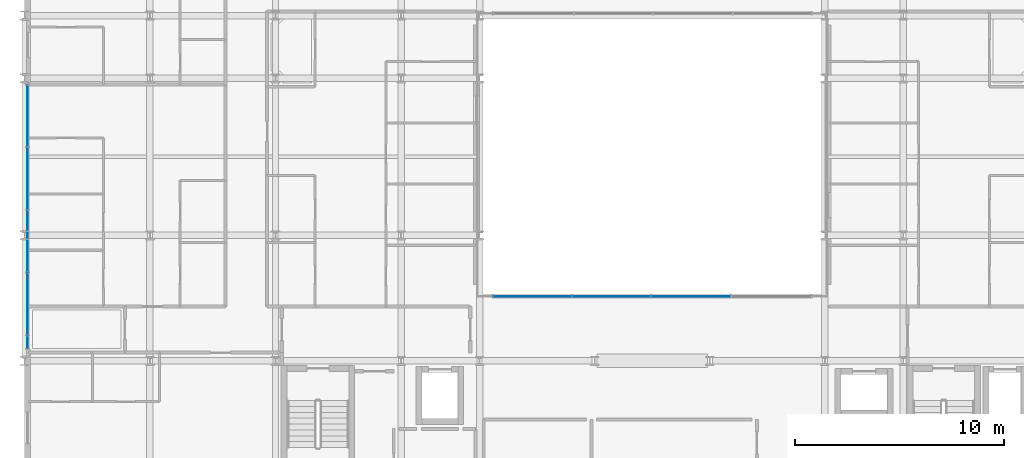
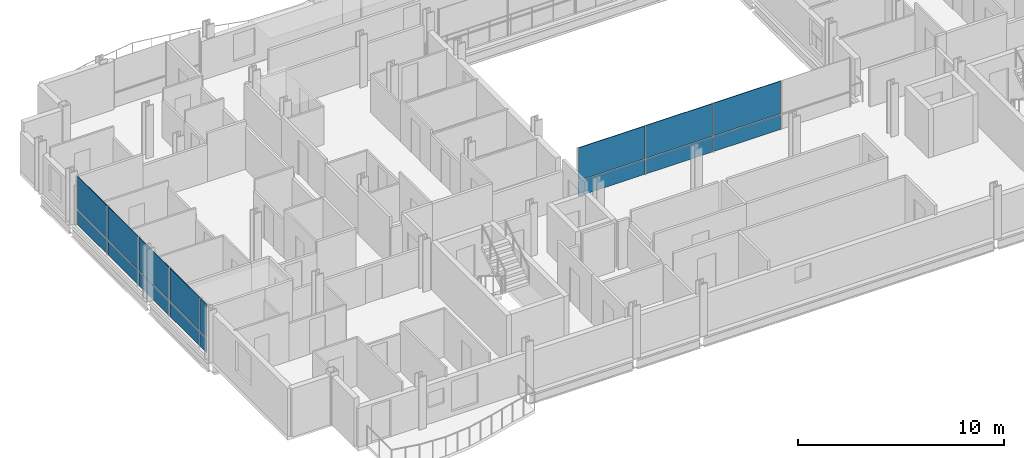
# One storey, part 26 of 41: 16 plates, 2 elements without a shape of their own.
"""IFC4 building model written with IfcOpenShell, lengths in metres."""

from ifc_helpers import new_model, si_unit, direction, frame, origin, origin_2d, place, context, subcontext, project, spatial, rectangle, extrude, material, layer, layer_set, type_object, element, aggregate, save


model = new_model("IFC4")

# Units and contexts
model_context = context("Model", 3, precision=1e-05, world=origin(), true_north=direction((0.0, 1.0)))
body_context = subcontext(model_context, "Body", "Model", "MODEL_VIEW")
ifc_project = project(units=[si_unit("LENGTHUNIT", "METRE"), si_unit("AREAUNIT", "SQUARE_METRE"), si_unit("VOLUMEUNIT", "CUBIC_METRE"), si_unit("PLANEANGLEUNIT", "RADIAN"), si_unit("MASSUNIT", "GRAM", prefix="KILO")], contexts=[model_context])

# Site, building, storey
site_placement = place(None, origin())
site = spatial("IfcSite", under=ifc_project, at=site_placement, CompositionType="ELEMENT")
building_placement = place(site_placement, origin())
building = spatial("IfcBuilding", under=site, at=building_placement, Name="Brevholm Reach", CompositionType="ELEMENT")
storey_placement = place(building_placement, frame((0.0, 0.0, 68.300048828125)))
storey = spatial("IfcBuildingStorey", under=building, at=storey_placement, Name="L19", CompositionType="ELEMENT", Elevation=68.300048828125)

# Curtain wall, plates
ifc_material_1 = material(Name="Dark Anodised Aluminium 6063-T6 and Solar-Control Glass", Category="aluminium")
ifc_layer_1 = layer(ifc_material_1, 0.14990234375)
ifc_layer_set_1 = layer_set([ifc_layer_1], Name="Dark Anodised Aluminium 6063-T6 and Solar-Control Glass")
curtain_wall_type_1 = type_object("IfcCurtainWallType", Name="CW-01", PredefinedType="NOTDEFINED", material=ifc_layer_set_1)
curtain_wall_1_placement = place(storey_placement, origin())
curtain_wall_1 = element("IfcCurtainWall", 1, at=curtain_wall_1_placement, inside=storey, type_object=curtain_wall_type_1, Name="L19 Curtain Wall CW-01", PredefinedType="NOTDEFINED")
ifc_material_2 = material(Name="Dark Solar-Control Double-Glazed IGU Glass", Category="glass")
ifc_layer_2 = layer(ifc_material_2, 0.028076171875)
ifc_layer_set_2 = layer_set([ifc_layer_2], Name="Dark Solar-Control Double-Glazed IGU Glass")
plate_type_1 = type_object("IfcPlateType", Name="CWP-GLZ-28", PredefinedType="CURTAIN_PANEL", material=ifc_layer_set_2)
plate_1_placement = place(storey_placement, frame((0.14990234375, 21.703857421875, 0.0), z_axis=(0.0, 0.0, 1.0), x_axis=(0.0, -1.0, 0.0)))
plate_1 = element("IfcPlate", 2, at=plate_1_placement, type_object=plate_type_1, Name="CP-01 Glazing Panel 1.1", PredefinedType="CURTAIN_PANEL", context=body_context, shape_type="SweptSolid", body=[
    extrude(rectangle(XDim=2.902587890625, YDim=0.028076171875, at=origin_2d()), origin(), (0.0, 0.0, 1.0), 0.867431640625),
])
plate_2_placement = place(storey_placement, frame((0.14990234375, 21.703857421875, 0.932373046875), z_axis=(0.0, 0.0, 1.0), x_axis=(0.0, -1.0, 0.0)))
plate_2 = element("IfcPlate", 3, at=plate_2_placement, type_object=plate_type_1, Name="CP-01 Glazing Panel 1.2", PredefinedType="CURTAIN_PANEL", context=body_context, shape_type="SweptSolid", body=[
    extrude(rectangle(XDim=2.902587890625, YDim=0.028076171875, at=origin_2d()), origin(), (0.0, 0.0, 1.0), 1.9375),
])
plate_3_placement = place(storey_placement, frame((0.14990234375, 18.719970703125, 0.0), z_axis=(0.0, 0.0, 1.0), x_axis=(0.0, -1.0, 0.0)))
plate_3 = element("IfcPlate", 4, at=plate_3_placement, type_object=plate_type_1, Name="CP-01 Glazing Panel 2.1", PredefinedType="CURTAIN_PANEL", context=body_context, shape_type="SweptSolid", body=[
    extrude(rectangle(XDim=2.93505859375, YDim=0.028076171875, at=origin_2d()), origin(), (0.0, 0.0, 1.0), 0.867431640625),
])
plate_4_placement = place(storey_placement, frame((0.14990234375, 18.719970703125, 0.932373046875), z_axis=(0.0, 0.0, 1.0), x_axis=(0.0, -1.0, 0.0)))
plate_4 = element("IfcPlate", 5, at=plate_4_placement, type_object=plate_type_1, Name="CP-01 Glazing Panel 2.2", PredefinedType="CURTAIN_PANEL", context=body_context, shape_type="SweptSolid", body=[
    extrude(rectangle(XDim=2.93505859375, YDim=0.028076171875, at=origin_2d()), origin(), (0.0, 0.0, 1.0), 1.9375),
])
plate_5_placement = place(storey_placement, frame((0.14990234375, 15.719970703125, 0.0), z_axis=(0.0, 0.0, 1.0), x_axis=(0.0, -1.0, 0.0)))
plate_5 = element("IfcPlate", 6, at=plate_5_placement, type_object=plate_type_1, Name="CP-01 Glazing Panel 3.1", PredefinedType="CURTAIN_PANEL", context=body_context, shape_type="SweptSolid", body=[
    extrude(rectangle(XDim=2.93505859375, YDim=0.028076171875, at=origin_2d()), origin(), (0.0, 0.0, 1.0), 0.867431640625),
])
plate_6_placement = place(storey_placement, frame((0.14990234375, 15.719970703125, 0.932373046875), z_axis=(0.0, 0.0, 1.0), x_axis=(0.0, -1.0, 0.0)))
plate_6 = element("IfcPlate", 7, at=plate_6_placement, type_object=plate_type_1, Name="CP-01 Glazing Panel 3.2", PredefinedType="CURTAIN_PANEL", context=body_context, shape_type="SweptSolid", body=[
    extrude(rectangle(XDim=2.93505859375, YDim=0.028076171875, at=origin_2d()), origin(), (0.0, 0.0, 1.0), 1.9375),
])
plate_7_placement = place(storey_placement, frame((0.14990234375, 12.719970703125, 0.0), z_axis=(0.0, 0.0, 1.0), x_axis=(0.0, -1.0, 0.0)))
plate_7 = element("IfcPlate", 8, at=plate_7_placement, type_object=plate_type_1, Name="CP-01 Glazing Panel 4.1", PredefinedType="CURTAIN_PANEL", context=body_context, shape_type="SweptSolid", body=[
    extrude(rectangle(XDim=2.93505859375, YDim=0.028076171875, at=origin_2d()), origin(), (0.0, 0.0, 1.0), 0.867431640625),
])
plate_8_placement = place(storey_placement, frame((0.14990234375, 12.719970703125, 0.932373046875), z_axis=(0.0, 0.0, 1.0), x_axis=(0.0, -1.0, 0.0)))
plate_8 = element("IfcPlate", 9, at=plate_8_placement, type_object=plate_type_1, Name="CP-01 Glazing Panel 4.2", PredefinedType="CURTAIN_PANEL", context=body_context, shape_type="SweptSolid", body=[
    extrude(rectangle(XDim=2.93505859375, YDim=0.028076171875, at=origin_2d()), origin(), (0.0, 0.0, 1.0), 1.9375),
])
plate_9_placement = place(storey_placement, frame((0.14990234375, 10.9013671875, 0.0), z_axis=(0.0, 0.0, 1.0), x_axis=(0.0, -1.0, 0.0)))
plate_9 = element("IfcPlate", 10, at=plate_9_placement, type_object=plate_type_1, Name="CP-01 Glazing Panel 5.1", PredefinedType="CURTAIN_PANEL", context=body_context, shape_type="SweptSolid", body=[
    extrude(rectangle(XDim=0.572509765625, YDim=0.028076171875, at=origin_2d()), origin(), (0.0, 0.0, 1.0), 0.867431640625),
])
plate_10_placement = place(storey_placement, frame((0.14990234375, 10.9013671875, 0.932373046875), z_axis=(0.0, 0.0, 1.0), x_axis=(0.0, -1.0, 0.0)))
plate_10 = element("IfcPlate", 11, at=plate_10_placement, type_object=plate_type_1, Name="CP-01 Glazing Panel 5.2", PredefinedType="CURTAIN_PANEL", context=body_context, shape_type="SweptSolid", body=[
    extrude(rectangle(XDim=0.572509765625, YDim=0.028076171875, at=origin_2d()), origin(), (0.0, 0.0, 1.0), 1.9375),
])
aggregate(curtain_wall_1, [plate_1, plate_2, plate_3, plate_4, plate_5, plate_6, plate_7, plate_8, plate_9, plate_10])

ifc_material_3 = material(Name="Dark Anodised Aluminium 6063-T6 and Solar-Control Glass", Category="aluminium")
ifc_layer_3 = layer(ifc_material_3, 0.139892578125)
ifc_layer_set_3 = layer_set([ifc_layer_3], Name="Dark Anodised Aluminium 6063-T6 and Solar-Control Glass")
curtain_wall_type_2 = type_object("IfcCurtainWallType", Name="CW-02", PredefinedType="NOTDEFINED", material=ifc_layer_set_3)
curtain_wall_2_placement = place(storey_placement, origin())
curtain_wall_2 = element("IfcCurtainWall", 12, at=curtain_wall_2_placement, inside=storey, type_object=curtain_wall_type_2, Name="L19 Curtain Wall CW-02", PredefinedType="NOTDEFINED")
ifc_material_4 = material(Name="Low-Iron Laminated Acoustic Glass", Category="glass")
ifc_layer_4 = layer(ifc_material_4, 0.035888671875)
ifc_layer_set_4 = layer_set([ifc_layer_4], Name="Low-Iron Laminated Acoustic Glass")
plate_type_2 = type_object("IfcPlateType", Name="CWP-GLZ-36", PredefinedType="CURTAIN_PANEL", material=ifc_layer_set_4)
plate_11_placement = place(storey_placement, frame((24.264892578125, 13.080078125, 0.0), z_axis=(0.0, 0.0, 1.0), x_axis=(1.0, 0.0, 0.0)))
plate_11 = element("IfcPlate", 13, at=plate_11_placement, type_object=plate_type_2, Name="CP-02 Glazing Panel 1.1", PredefinedType="CURTAIN_PANEL", context=body_context, shape_type="SweptSolid", body=[
    extrude(rectangle(XDim=3.7099609375, YDim=0.035888671875, at=origin_2d()), origin(), (0.0, 0.0, 1.0), 0.8701171875),
])
plate_12_placement = place(storey_placement, frame((24.264892578125, 13.080078125, 0.929931640625), z_axis=(0.0, 0.0, 1.0), x_axis=(1.0, 0.0, 0.0)))
plate_12 = element("IfcPlate", 14, at=plate_12_placement, type_object=plate_type_2, Name="CP-02 Glazing Panel 1.2", PredefinedType="CURTAIN_PANEL", context=body_context, shape_type="SweptSolid", body=[
    extrude(rectangle(XDim=3.7099609375, YDim=0.035888671875, at=origin_2d()), origin(), (0.0, 0.0, 1.0), 1.93994140625),
])
plate_13_placement = place(storey_placement, frame((28.050048828125, 13.080078125, 0.0), z_axis=(0.0, 0.0, 1.0), x_axis=(1.0, 0.0, 0.0)))
plate_13 = element("IfcPlate", 15, at=plate_13_placement, type_object=plate_type_2, Name="CP-02 Glazing Panel 2.1", PredefinedType="CURTAIN_PANEL", context=body_context, shape_type="SweptSolid", body=[
    extrude(rectangle(XDim=3.739990234375, YDim=0.035888671875, at=origin_2d()), origin(), (0.0, 0.0, 1.0), 0.8701171875),
])
plate_14_placement = place(storey_placement, frame((28.050048828125, 13.080078125, 0.929931640625), z_axis=(0.0, 0.0, 1.0), x_axis=(1.0, 0.0, 0.0)))
plate_14 = element("IfcPlate", 16, at=plate_14_placement, type_object=plate_type_2, Name="CP-02 Glazing Panel 2.2", PredefinedType="CURTAIN_PANEL", context=body_context, shape_type="SweptSolid", body=[
    extrude(rectangle(XDim=3.739990234375, YDim=0.035888671875, at=origin_2d()), origin(), (0.0, 0.0, 1.0), 1.93994140625),
])
plate_15_placement = place(storey_placement, frame((31.85009765625, 13.080078125, 0.0), z_axis=(0.0, 0.0, 1.0), x_axis=(1.0, 0.0, 0.0)))
plate_15 = element("IfcPlate", 17, at=plate_15_placement, type_object=plate_type_2, Name="CP-02 Glazing Panel 3.1", PredefinedType="CURTAIN_PANEL", context=body_context, shape_type="SweptSolid", body=[
    extrude(rectangle(XDim=3.739990234375, YDim=0.035888671875, at=origin_2d()), origin(), (0.0, 0.0, 1.0), 0.8701171875),
])
plate_16_placement = place(storey_placement, frame((31.85009765625, 13.080078125, 0.929931640625), z_axis=(0.0, 0.0, 1.0), x_axis=(1.0, 0.0, 0.0)))
plate_16 = element("IfcPlate", 18, at=plate_16_placement, type_object=plate_type_2, Name="CP-02 Glazing Panel 3.2", PredefinedType="CURTAIN_PANEL", context=body_context, shape_type="SweptSolid", body=[
    extrude(rectangle(XDim=3.739990234375, YDim=0.035888671875, at=origin_2d()), origin(), (0.0, 0.0, 1.0), 1.93994140625),
])
aggregate(curtain_wall_2, [plate_11, plate_12, plate_13, plate_14, plate_15, plate_16])

save(model, "model.ifc")
